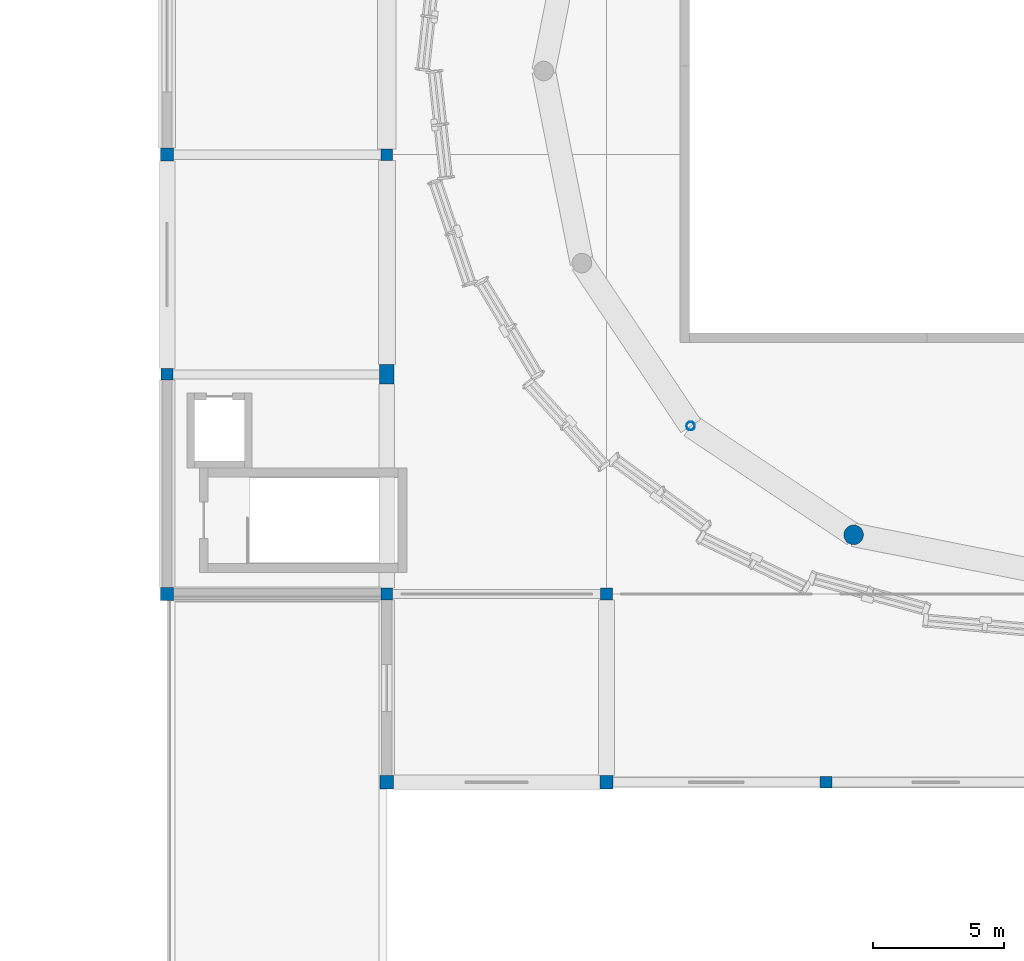
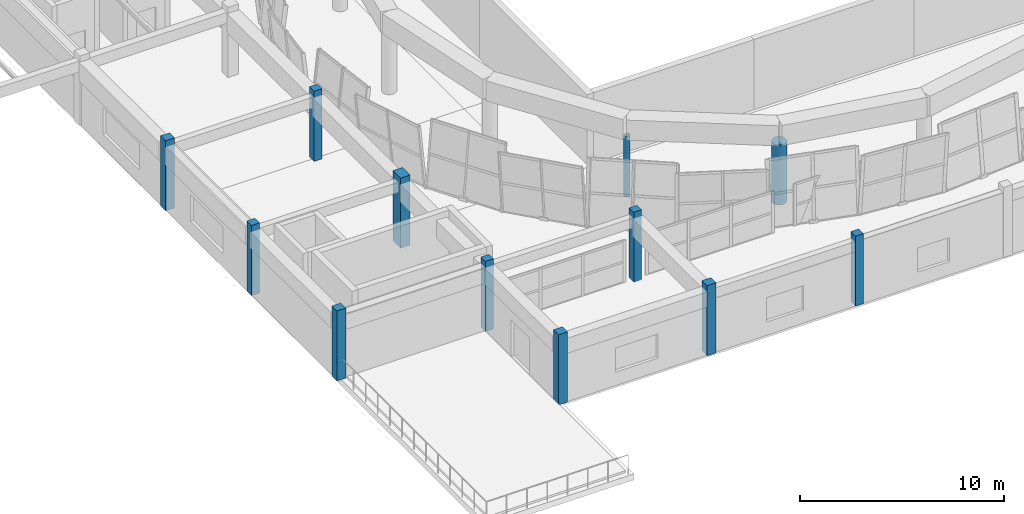
# One storey, part 1 of 40: 12 columns.
"""IFC4 building model written with IfcOpenShell, lengths in metres."""

from ifc_helpers import new_model, si_unit, direction, frame, origin, origin_2d, place, context, subcontext, project, spatial, rectangle, circle, hollow_circle, extrude, material, material_profile, profile_set, type_object, element, save


model = new_model("IFC4")

# Units and contexts
model_context = context("Model", 3, precision=1e-05, world=origin(), true_north=direction((0.0, 1.0)))
body_context = subcontext(model_context, "Body", "Model", "MODEL_VIEW")
ifc_project = project(units=[si_unit("LENGTHUNIT", "METRE"), si_unit("AREAUNIT", "SQUARE_METRE"), si_unit("VOLUMEUNIT", "CUBIC_METRE"), si_unit("PLANEANGLEUNIT", "RADIAN"), si_unit("MASSUNIT", "GRAM", prefix="KILO")], contexts=[model_context])

# Site, building, storey
site_placement = place(None, origin())
site = spatial("IfcSite", under=ifc_project, at=site_placement, CompositionType="ELEMENT")
building_placement = place(site_placement, origin())
building = spatial("IfcBuilding", under=site, at=building_placement, Name="Korsvaeld Concert Hall", CompositionType="ELEMENT")
storey_placement = place(building_placement, frame((0.0, 0.0, 13.199951171875)))
storey = spatial("IfcBuildingStorey", under=building, at=storey_placement, Name="L03", CompositionType="ELEMENT", Elevation=13.199951171875)

# Columns
ifc_material_1 = material(Name="Concrete C40/50", Category="concrete")
ifc_material_profile_1 = material_profile(ifc_material_1, circle(Radius=0.375, at=origin_2d()), Name="RC D750")
ifc_profile_set_1 = profile_set([ifc_material_profile_1], Name="Concrete C40/50")
column_type_1 = type_object("IfcColumnType", Name="COL-DRUM-D750", PredefinedType="COLUMN", material=ifc_profile_set_1)
column_1_placement = place(storey_placement, frame((76.652587890625, 45.46142578125, 0.0), z_axis=(0.0, 0.0, 1.0), x_axis=(1.0, 0.0, 0.0)))
element("IfcColumn", 1, at=column_1_placement, inside=storey, type_object=column_type_1, Name="Drum column D12 L03", PredefinedType="COLUMN", context=body_context, shape_type="SweptSolid", body=[
    extrude(circle(Radius=0.375, at=origin_2d()), origin(), (0.0, 0.0, 1.0), 3.60009765625),
])
ifc_material_profile_2 = material_profile(ifc_material_1, rectangle(XDim=0.449951171875, YDim=0.449951171875, at=origin_2d()), Name="RC 450x450")
ifc_profile_set_2 = profile_set([ifc_material_profile_2], Name="Concrete C40/50")
column_type_2 = type_object("IfcColumnType", Name="COL-RC-450x450", PredefinedType="COLUMN", material=ifc_profile_set_2)
for number, where, z_axis, x_axis, name in (
    (2, (67.199951171875, 43.199951171875, 0.0), (0.0, 0.0, 1.0), (1.0, 0.0, 0.0), "Column 10/G L03"),
    (3, (75.60009765625, 36.0, 0.0), (0.0, 0.0, 1.0), (1.0, 0.0, 0.0), "Column 11/F L03"),
    (4, (50.39990234375, 51.60009765625, 0.0), (0.0, 0.0, 1.0), (1.0, 0.0, 0.0), "Column 8/H L03"),
    (5, (58.800048828125, 43.199951171875, 0.0), (0.0, 0.0, 1.0), (1.0, 0.0, 0.0), "Column 9/G L03"),
    (6, (58.800048828125, 60.0, 0.0), (0.0, 0.0, 1.0), (1.0, 0.0, 0.0), "Column 9/J L03"),
):
    element("IfcColumn", number, at=place(storey_placement, frame(where, z_axis=z_axis, x_axis=x_axis)), inside=storey, type_object=column_type_2, Name=name, PredefinedType="COLUMN", context=body_context, shape_type="SweptSolid", body=[
        extrude(rectangle(XDim=0.449951171875, YDim=0.449951171875, at=origin_2d()), origin(), (0.0, 0.0, 1.0), 4.199951171875),
    ])
ifc_material_profile_3 = material_profile(ifc_material_1, rectangle(XDim=0.5, YDim=0.5, at=origin_2d()), Name="RC 500x500")
ifc_profile_set_3 = profile_set([ifc_material_profile_3], Name="Concrete C40/50")
column_type_3 = type_object("IfcColumnType", Name="COL-RC-500x500", PredefinedType="COLUMN", material=ifc_profile_set_3)
for number, where, z_axis, x_axis, name in (
    (7, (67.199951171875, 36.0, 0.0), (0.0, 0.0, 1.0), (1.0, 0.0, 0.0), "Column 10/F L03"),
    (8, (50.39990234375, 43.199951171875, 0.0), (0.0, 0.0, 1.0), (1.0, 0.0, 0.0), "Column 8/G L03"),
    (9, (50.39990234375, 60.0, 0.0), (0.0, 0.0, 1.0), (1.0, 0.0, 0.0), "Column 8/J L03"),
    (10, (58.800048828125, 36.0, 0.0), (0.0, 0.0, 1.0), (1.0, 0.0, 0.0), "Column 9/F L03"),
):
    element("IfcColumn", number, at=place(storey_placement, frame(where, z_axis=z_axis, x_axis=x_axis)), inside=storey, type_object=column_type_3, Name=name, PredefinedType="COLUMN", context=body_context, shape_type="SweptSolid", body=[
        extrude(rectangle(XDim=0.5, YDim=0.5, at=origin_2d()), origin(), (0.0, 0.0, 1.0), 4.199951171875),
    ])
ifc_material_profile_4 = material_profile(ifc_material_1, rectangle(XDim=0.550048828125, YDim=0.75, at=origin_2d()), Name="RC 550x750")
ifc_profile_set_4 = profile_set([ifc_material_profile_4], Name="Concrete C40/50")
column_type_4 = type_object("IfcColumnType", Name="COL-RC-550x750", PredefinedType="COLUMN", material=ifc_profile_set_4)
column_2_placement = place(storey_placement, frame((58.800048828125, 51.60009765625, 0.0), z_axis=(0.0, 0.0, 1.0), x_axis=(1.0, 0.0, 0.0)))
element("IfcColumn", 11, at=column_2_placement, inside=storey, type_object=column_type_4, Name="Column 9/H L03", PredefinedType="COLUMN", context=body_context, shape_type="SweptSolid", body=[
    extrude(rectangle(XDim=0.550048828125, YDim=0.75, at=origin_2d()), origin(), (0.0, 0.0, 1.0), 4.199951171875),
])
ifc_material_2 = material(Name="Steel S355J2", Category="steel")
ifc_material_profile_5 = material_profile(ifc_material_2, hollow_circle(Radius=0.161865234375, WallThickness=0.012451171875, at=origin_2d()), Name="CHS 323.9x12.5")
ifc_profile_set_5 = profile_set([ifc_material_profile_5], Name="Steel S355J2")
column_type_5 = type_object("IfcColumnType", Name="COL-STL-CHS323", PredefinedType="COLUMN", material=ifc_profile_set_5)
column_3_placement = place(storey_placement, frame((70.423583984375, 49.62353515625, 0.0), z_axis=(0.0, 0.0, 1.0), x_axis=(1.0, 0.0, 0.0)))
element("IfcColumn", 12, at=column_3_placement, inside=storey, type_object=column_type_5, Name="Drum column D11 L03", PredefinedType="COLUMN", context=body_context, shape_type="SweptSolid", body=[
    extrude(hollow_circle(Radius=0.161865234375, WallThickness=0.012451171875, at=origin_2d()), origin(), (0.0, 0.0, 1.0), 3.60009765625),
])

save(model, "model.ifc")
